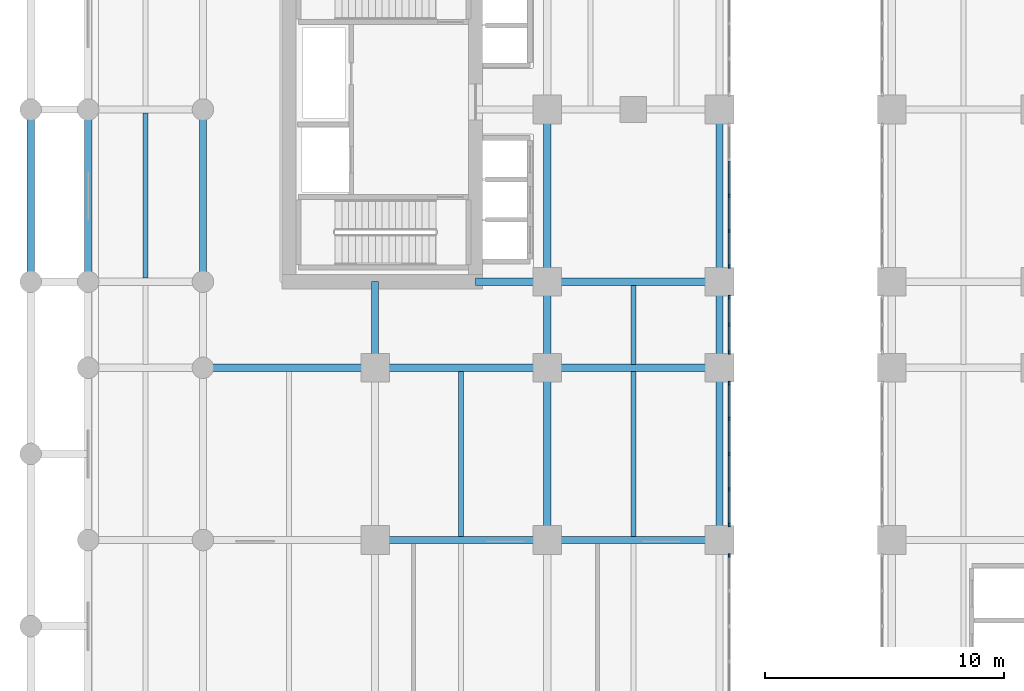
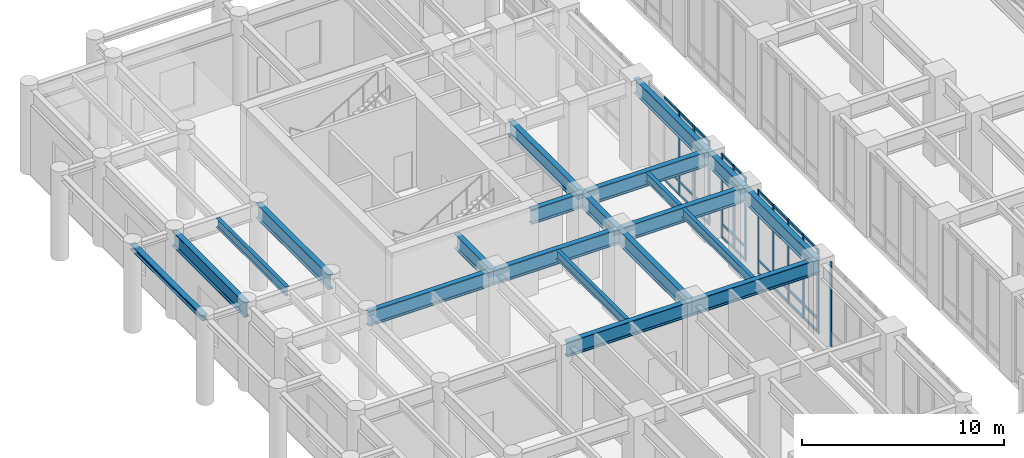
# One storey, part 3 of 24: 39 members, 21 beams, 4 elements without a shape of their own.
"""IFC4 building model written with IfcOpenShell, lengths in metres."""

from ifc_helpers import new_model, si_unit, derived_unit, direction, frame, origin, origin_2d, place, context, subcontext, project, spatial, rectangle, i_section, extrude, source, transform, mapped, material, layer, layer_set, material_profile, profile_set, type_object, type_shapes, element, aggregate, save


model = new_model("IFC4")

# Units and contexts
model_context = context("Model", 3, precision=1e-05, world=origin(), true_north=direction((0.0, 1.0)))
body_context = subcontext(model_context, "Body", "Model", "MODEL_VIEW")
ifc_project = project(units=[si_unit("LENGTHUNIT", "METRE"), si_unit("AREAUNIT", "SQUARE_METRE"), si_unit("VOLUMEUNIT", "CUBIC_METRE"), si_unit("PLANEANGLEUNIT", "RADIAN"), si_unit("MASSUNIT", "GRAM", prefix="KILO"), si_unit("THERMODYNAMICTEMPERATUREUNIT", "KELVIN"), si_unit("POWERUNIT", "WATT"), derived_unit("THERMALTRANSMITTANCEUNIT", [(si_unit("POWERUNIT", "WATT"), 1), (si_unit("AREAUNIT", "SQUARE_METRE"), -1), (si_unit("THERMODYNAMICTEMPERATUREUNIT", "KELVIN"), -1)])], contexts=[model_context])

# Site, building, storey
site_placement = place(None, origin())
site = spatial("IfcSite", under=ifc_project, at=site_placement, CompositionType="ELEMENT")
building_placement = place(site_placement, origin())
building = spatial("IfcBuilding", under=site, at=building_placement, Name="Zahravan Archway Hotel and Residences", CompositionType="ELEMENT")
storey_placement = place(building_placement, frame((0.0, 0.0, 10.800048828125)))
storey = spatial("IfcBuildingStorey", under=building, at=storey_placement, Name="L02", CompositionType="ELEMENT", Elevation=10.800048828125)

# Beams
ifc_material_1 = material(Name="Structural Steel S355J2", Category="steel")
ifc_material_profile_1 = material_profile(ifc_material_1, i_section(OverallWidth=0.300048828125, OverallDepth=0.89990234375, WebThickness=0.0185546875, FlangeThickness=0.034912109375, FilletRadius=0.030029296875, at=origin_2d()), Name="HEB 900", Category="steel")
ifc_profile_set_1 = profile_set([ifc_material_profile_1], Name="Structural Steel S355J2")
beam_type_1 = type_object("IfcBeamType", Name="BM-PRI-HEB900", PredefinedType="BEAM", material=ifc_profile_set_1)
shared_shape_1 = source(origin(), body_context, "Body", "SweptSolid", [
    extrude(i_section(OverallWidth=0.300048828125, OverallDepth=0.89990234375, WebThickness=0.0185546875, FlangeThickness=0.034912109375, FilletRadius=0.030029296875, at=origin_2d()), origin(), (0.0, 0.0, 1.0), 7.199951171875),
])
for number, where, z_axis, x_axis, name in (
    (1, (7.199951171875, 14.39990234375, 4.64990234375), (1.0, 0.0, 0.0), (0.0, 1.0, 0.0), "L02 Primary Girder EW-21"),
    (2, (0.0, 21.60009765625, 4.64990234375), (1.0, 0.0, 0.0), (0.0, 1.0, 0.0), "L02 Primary Girder EW-28"),
    (3, (7.199951171875, 21.60009765625, 4.64990234375), (1.0, 0.0, 0.0), (0.0, 1.0, 0.0), "L02 Primary Girder EW-29"),
    (4, (-4.800048828125, 25.199951171875, 4.64990234375), (0.0, 1.0, 0.0), (-1.0, 0.0, 0.0), "L02 Primary Girder NS-66"),
    (5, (0.0, 25.199951171875, 4.64990234375), (0.0, 1.0, 0.0), (-1.0, 0.0, 0.0), "L02 Primary Girder NS-73"),
    (6, (14.39990234375, 25.199951171875, 4.64990234375), (0.0, 1.0, 0.0), (-1.0, 0.0, 0.0), "L02 Primary Girder NS-85"),
    (7, (21.60009765625, 25.199951171875, 4.64990234375), (0.0, 1.0, 0.0), (-1.0, 0.0, 0.0), "L02 Primary Girder NS-92"),
):
    element("IfcBeam", number, at=place(storey_placement, frame(where, z_axis=z_axis, x_axis=x_axis)), inside=storey, type_object=beam_type_1, Name=name, PredefinedType="BEAM", context=body_context, shape_type="MappedRepresentation", body=[
        mapped(shared_shape_1, transform((0.0, 0.0, 0.0), scale=1.0)),
    ])
shared_shape_2 = source(origin(), body_context, "Body", "SweptSolid", [
    extrude(i_section(OverallWidth=0.300048828125, OverallDepth=0.89990234375, WebThickness=0.0185546875, FlangeThickness=0.034912109375, FilletRadius=0.030029296875, at=origin_2d()), origin(), (0.0, 0.0, 1.0), 7.2001953125),
])
for number, where, z_axis, x_axis, name in (
    (8, (14.39990234375, 14.39990234375, 4.64990234375), (1.0, 0.0, 0.0), (0.0, 1.0, 0.0), "L02 Primary Girder EW-22"),
    (9, (14.39990234375, 21.60009765625, 4.64990234375), (1.0, 0.0, 0.0), (0.0, 1.0, 0.0), "L02 Primary Girder EW-30"),
    (10, (14.39990234375, 25.199951171875, 4.64990234375), (1.0, 0.0, 0.0), (0.0, 1.0, 0.0), "L02 Primary Girder EW-39"),
    (11, (14.39990234375, 14.39990234375, 4.64990234375), (0.0, 1.0, 0.0), (-1.0, 0.0, 0.0), "L02 Primary Girder NS-83"),
    (12, (21.60009765625, 14.39990234375, 4.64990234375), (0.0, 1.0, 0.0), (-1.0, 0.0, 0.0), "L02 Primary Girder NS-90"),
):
    element("IfcBeam", number, at=place(storey_placement, frame(where, z_axis=z_axis, x_axis=x_axis)), inside=storey, type_object=beam_type_1, Name=name, PredefinedType="BEAM", context=body_context, shape_type="MappedRepresentation", body=[
        mapped(shared_shape_2, transform((0.0, 0.0, 0.0), scale=1.0)),
    ])
shared_shape_3 = source(origin(), body_context, "Body", "SweptSolid", [
    extrude(i_section(OverallWidth=0.300048828125, OverallDepth=0.89990234375, WebThickness=0.0185546875, FlangeThickness=0.034912109375, FilletRadius=0.030029296875, at=origin_2d()), origin(), (0.0, 0.0, 1.0), 3.0),
])
beam_1_placement = place(storey_placement, frame((11.39990234375, 25.199951171875, 4.64990234375), z_axis=(1.0, 0.0, 0.0), x_axis=(0.0, 1.0, 0.0)))
element("IfcBeam", 13, at=beam_1_placement, inside=storey, type_object=beam_type_1, Name="L02 Primary Girder EW-38", PredefinedType="BEAM", context=body_context, shape_type="MappedRepresentation", body=[
    mapped(shared_shape_3, transform((0.0, 0.0, 0.0), scale=1.0)),
])
shared_shape_4 = source(origin(), body_context, "Body", "SweptSolid", [
    extrude(i_section(OverallWidth=0.300048828125, OverallDepth=0.89990234375, WebThickness=0.0185546875, FlangeThickness=0.034912109375, FilletRadius=0.030029296875, at=origin_2d()), origin(), (0.0, 0.0, 1.0), 3.599853515625),
])
for number, where, z_axis, x_axis, name in (
    (14, (7.199951171875, 21.60009765625, 4.64990234375), (0.0, 1.0, 0.0), (-1.0, 0.0, 0.0), "L02 Primary Girder NS-79"),
    (15, (14.39990234375, 21.60009765625, 4.64990234375), (0.0, 1.0, 0.0), (-1.0, 0.0, 0.0), "L02 Primary Girder NS-84"),
    (16, (21.60009765625, 21.60009765625, 4.64990234375), (0.0, 1.0, 0.0), (-1.0, 0.0, 0.0), "L02 Primary Girder NS-91"),
):
    element("IfcBeam", number, at=place(storey_placement, frame(where, z_axis=z_axis, x_axis=x_axis)), inside=storey, type_object=beam_type_1, Name=name, PredefinedType="BEAM", context=body_context, shape_type="MappedRepresentation", body=[
        mapped(shared_shape_4, transform((0.0, 0.0, 0.0), scale=1.0)),
    ])
ifc_material_2 = material(Name="Structural Steel S355JR", Category="steel")
ifc_material_profile_2 = material_profile(ifc_material_2, i_section(OverallWidth=0.2099609375, OverallDepth=0.550048828125, WebThickness=0.010986328125, FlangeThickness=0.01708984375, FilletRadius=0.02392578125, at=origin_2d()), Name="IPE 550", Category="steel")
ifc_profile_set_2 = profile_set([ifc_material_profile_2], Name="Structural Steel S355JR")
beam_type_2 = type_object("IfcBeamType", Name="BM-JST-IPE550", PredefinedType="JOIST", material=ifc_profile_set_2)
shared_shape_5 = source(origin(), body_context, "Body", "SweptSolid", [
    extrude(i_section(OverallWidth=0.2099609375, OverallDepth=0.550048828125, WebThickness=0.010986328125, FlangeThickness=0.01708984375, FilletRadius=0.02392578125, at=origin_2d()), origin(), (0.0, 0.0, 1.0), 6.904052734375),
])
type_shapes(beam_type_2, [shared_shape_5])
beam_2_placement = place(storey_placement, frame((-2.39990234375, 25.347900390625, 4.824951171875), z_axis=(0.0, 1.0, 0.0), x_axis=(-1.0, 0.0, 0.0)))
element("IfcBeam", 17, at=beam_2_placement, inside=storey, type_object=beam_type_2, Name="L02 Composite Floor Joist 28", PredefinedType="JOIST", context=body_context, shape_type="MappedRepresentation", body=[
    mapped(shared_shape_5, transform((0.0, 0.0, 0.0), scale=1.0)),
])
shared_shape_6 = source(origin(), body_context, "Body", "SweptSolid", [
    extrude(i_section(OverallWidth=0.2099609375, OverallDepth=0.550048828125, WebThickness=0.010986328125, FlangeThickness=0.01708984375, FilletRadius=0.02392578125, at=origin_2d()), origin(), (0.0, 0.0, 1.0), 6.90380859375),
])
for number, where, z_axis, x_axis, name in (
    (18, (10.800048828125, 14.548095703125, 4.824951171875), (0.0, 1.0, 0.0), (-1.0, 0.0, 0.0), "L02 Composite Floor Joist 19"),
    (19, (18.0, 14.548095703125, 4.824951171875), (0.0, 1.0, 0.0), (-1.0, 0.0, 0.0), "L02 Composite Floor Joist 20"),
):
    element("IfcBeam", number, at=place(storey_placement, frame(where, z_axis=z_axis, x_axis=x_axis)), inside=storey, type_object=beam_type_2, Name=name, PredefinedType="JOIST", context=body_context, shape_type="MappedRepresentation", body=[
        mapped(shared_shape_6, transform((0.0, 0.0, 0.0), scale=1.0)),
    ])
shared_shape_7 = source(origin(), body_context, "Body", "SweptSolid", [
    extrude(i_section(OverallWidth=0.2099609375, OverallDepth=0.550048828125, WebThickness=0.010986328125, FlangeThickness=0.01708984375, FilletRadius=0.02392578125, at=origin_2d()), origin(), (0.0, 0.0, 1.0), 3.303955078125),
])
beam_3_placement = place(storey_placement, frame((18.0, 21.748046875, 4.824951171875), z_axis=(0.0, 1.0, 0.0), x_axis=(-1.0, 0.0, 0.0)))
element("IfcBeam", 20, at=beam_3_placement, inside=storey, type_object=beam_type_2, Name="L02 Composite Floor Joist 26", PredefinedType="JOIST", context=body_context, shape_type="MappedRepresentation", body=[
    mapped(shared_shape_7, transform((0.0, 0.0, 0.0), scale=1.0)),
])
ifc_material_profile_3 = material_profile(ifc_material_2, i_section(OverallWidth=0.300048828125, OverallDepth=0.320068359375, WebThickness=0.011474609375, FlangeThickness=0.0205078125, FilletRadius=0.027099609375, at=origin_2d()), Name="HEB 320", Category="steel")
ifc_profile_set_3 = profile_set([ifc_material_profile_3], Name="Structural Steel S355JR")
beam_type_3 = type_object("IfcBeamType", Name="BM-SPN-HEB320", PredefinedType="SPANDREL", material=ifc_profile_set_3)
shared_shape_8 = source(origin(), body_context, "Body", "SweptSolid", [
    extrude(i_section(OverallWidth=0.300048828125, OverallDepth=0.320068359375, WebThickness=0.011474609375, FlangeThickness=0.0205078125, FilletRadius=0.027099609375, at=origin_2d()), origin(), (0.0, 0.0, 1.0), 7.199951171875),
])
type_shapes(beam_type_3, [shared_shape_8])
beam_4_placement = place(storey_placement, frame((-7.199951171875, 25.199951171875, 5.0), z_axis=(0.0, 1.0, 0.0), x_axis=(-1.0, 0.0, 0.0)))
element("IfcBeam", 21, at=beam_4_placement, inside=storey, type_object=beam_type_3, Name="L02 West Colonnade Spandrel 4", PredefinedType="SPANDREL", context=body_context, shape_type="MappedRepresentation", body=[
    mapped(shared_shape_8, transform((0.0, 0.0, 0.0), scale=1.0)),
])

# Curtain wall, members
ifc_material_3 = material(Name="Bronze-Anodized Unitised Aluminium & Low-E Glass", Category="aluminium")
ifc_layer = layer(ifc_material_3, 0.179931640625, Name="Bronze-Anodized Unitised Aluminium & Low-E Glass", Category="aluminium")
ifc_layer_set = layer_set([ifc_layer], Name="Bronze-Anodized Unitised Aluminium & Low-E Glass")
curtain_wall_type = type_object("IfcCurtainWallType", Name="CW-POD-ARCH", PredefinedType="NOTDEFINED", material=ifc_layer_set)
curtain_wall_1_placement = place(storey_placement, origin())
curtain_wall_1 = element("IfcCurtainWall", 22, at=curtain_wall_1_placement, inside=storey, type_object=curtain_wall_type, Name="L02 Curtain Wall CW-PORTW-L02-5", PredefinedType="NOTDEFINED")
ifc_material_4 = material(Name="Bronze-Anodized Extruded Aluminium", Category="aluminium")
ifc_material_profile_4 = material_profile(ifc_material_4, rectangle(XDim=0.080078125, YDim=0.139892578125, at=origin_2d()), Name="TRN 80x140", Category="aluminium")
ifc_profile_set_4 = profile_set([ifc_material_profile_4], Name="Bronze-Anodized Extruded Aluminium")
member_type_1 = type_object("IfcMemberType", Name="CWM-TRN-140", PredefinedType="USERDEFINED", material=ifc_profile_set_4)
shared_shape_9 = source(origin(), body_context, "Body", "SweptSolid", [
    extrude(rectangle(XDim=0.080078125, YDim=0.139892578125, at=origin_2d()), origin(), (0.0, 0.0, 1.0), 1.397216796875),
])
member_1_placement = place(storey_placement, frame((22.0, 28.840087890625, 0.070068359375), z_axis=(0.0, 1.0, 0.0), x_axis=(-1.0, 0.0, 0.0)))
member_1 = element("IfcMember", 23, at=member_1_placement, type_object=member_type_1, Name="CW-PORTW-L02-5 Transom 2-1", ObjectType="TRANSOM", PredefinedType="USERDEFINED", context=body_context, shape_type="MappedRepresentation", body=[
    mapped(shared_shape_9, transform((0.0, 0.0, 0.0), scale=1.0)),
])
member_2_placement = place(storey_placement, frame((22.0, 28.840087890625, 0.849853515625), z_axis=(0.0, 1.0, 0.0), x_axis=(-1.0, 0.0, 0.0)))
member_2 = element("IfcMember", 24, at=member_2_placement, type_object=member_type_1, Name="CW-PORTW-L02-5 Transom 2-2", ObjectType="TRANSOM", PredefinedType="USERDEFINED", context=body_context, shape_type="MappedRepresentation", body=[
    mapped(shared_shape_9, transform((0.0, 0.0, 0.0), scale=1.0)),
])
member_3_placement = place(storey_placement, frame((22.0, 28.840087890625, 5.030029296875), z_axis=(0.0, 1.0, 0.0), x_axis=(-1.0, 0.0, 0.0)))
member_3 = element("IfcMember", 25, at=member_3_placement, type_object=member_type_1, Name="CW-PORTW-L02-5 Transom 2-3", ObjectType="TRANSOM", PredefinedType="USERDEFINED", context=body_context, shape_type="MappedRepresentation", body=[
    mapped(shared_shape_9, transform((0.0, 0.0, 0.0), scale=1.0)),
])

curtain_wall_2_placement = place(storey_placement, origin())
curtain_wall_2 = element("IfcCurtainWall", 26, at=curtain_wall_2_placement, inside=storey, type_object=curtain_wall_type, Name="L02 Curtain Wall CW-PORTW-L02-3", PredefinedType="NOTDEFINED")
shared_shape_10 = source(origin(), body_context, "Body", "SweptSolid", [
    extrude(rectangle(XDim=0.080078125, YDim=0.139892578125, at=origin_2d()), origin(), (0.0, 0.0, 1.0), 1.3974609375),
])
member_4_placement = place(storey_placement, frame((22.0, 15.085205078125, 0.070068359375), z_axis=(0.0, 1.0, 0.0), x_axis=(-1.0, 0.0, 0.0)))
member_4 = element("IfcMember", 27, at=member_4_placement, type_object=member_type_1, Name="CW-PORTW-L02-3 Transom 0-1", ObjectType="TRANSOM", PredefinedType="USERDEFINED", context=body_context, shape_type="MappedRepresentation", body=[
    mapped(shared_shape_10, transform((0.0, 0.0, 0.0), scale=1.0)),
])
member_5_placement = place(storey_placement, frame((22.0, 15.085205078125, 0.849853515625), z_axis=(0.0, 1.0, 0.0), x_axis=(-1.0, 0.0, 0.0)))
member_5 = element("IfcMember", 28, at=member_5_placement, type_object=member_type_1, Name="CW-PORTW-L02-3 Transom 0-2", ObjectType="TRANSOM", PredefinedType="USERDEFINED", context=body_context, shape_type="MappedRepresentation", body=[
    mapped(shared_shape_10, transform((0.0, 0.0, 0.0), scale=1.0)),
])
member_6_placement = place(storey_placement, frame((22.0, 15.085205078125, 5.030029296875), z_axis=(0.0, 1.0, 0.0), x_axis=(-1.0, 0.0, 0.0)))
member_6 = element("IfcMember", 29, at=member_6_placement, type_object=member_type_1, Name="CW-PORTW-L02-3 Transom 0-3", ObjectType="TRANSOM", PredefinedType="USERDEFINED", context=body_context, shape_type="MappedRepresentation", body=[
    mapped(shared_shape_10, transform((0.0, 0.0, 0.0), scale=1.0)),
])
member_7_placement = place(storey_placement, frame((22.0, 16.5625, 0.070068359375), z_axis=(0.0, 1.0, 0.0), x_axis=(-1.0, 0.0, 0.0)))
member_7 = element("IfcMember", 30, at=member_7_placement, type_object=member_type_1, Name="CW-PORTW-L02-3 Transom 1-1", ObjectType="TRANSOM", PredefinedType="USERDEFINED", context=body_context, shape_type="MappedRepresentation", body=[
    mapped(shared_shape_10, transform((0.0, 0.0, 0.0), scale=1.0)),
])
member_8_placement = place(storey_placement, frame((22.0, 16.5625, 0.849853515625), z_axis=(0.0, 1.0, 0.0), x_axis=(-1.0, 0.0, 0.0)))
member_8 = element("IfcMember", 31, at=member_8_placement, type_object=member_type_1, Name="CW-PORTW-L02-3 Transom 1-2", ObjectType="TRANSOM", PredefinedType="USERDEFINED", context=body_context, shape_type="MappedRepresentation", body=[
    mapped(shared_shape_10, transform((0.0, 0.0, 0.0), scale=1.0)),
])
member_9_placement = place(storey_placement, frame((22.0, 16.5625, 5.030029296875), z_axis=(0.0, 1.0, 0.0), x_axis=(-1.0, 0.0, 0.0)))
member_9 = element("IfcMember", 32, at=member_9_placement, type_object=member_type_1, Name="CW-PORTW-L02-3 Transom 1-3", ObjectType="TRANSOM", PredefinedType="USERDEFINED", context=body_context, shape_type="MappedRepresentation", body=[
    mapped(shared_shape_10, transform((0.0, 0.0, 0.0), scale=1.0)),
])
member_10_placement = place(storey_placement, frame((22.0, 18.0400390625, 0.070068359375), z_axis=(0.0, 1.0, 0.0), x_axis=(-1.0, 0.0, 0.0)))
member_10 = element("IfcMember", 33, at=member_10_placement, type_object=member_type_1, Name="CW-PORTW-L02-3 Transom 2-1", ObjectType="TRANSOM", PredefinedType="USERDEFINED", context=body_context, shape_type="MappedRepresentation", body=[
    mapped(shared_shape_10, transform((0.0, 0.0, 0.0), scale=1.0)),
])
member_11_placement = place(storey_placement, frame((22.0, 18.0400390625, 0.849853515625), z_axis=(0.0, 1.0, 0.0), x_axis=(-1.0, 0.0, 0.0)))
member_11 = element("IfcMember", 34, at=member_11_placement, type_object=member_type_1, Name="CW-PORTW-L02-3 Transom 2-2", ObjectType="TRANSOM", PredefinedType="USERDEFINED", context=body_context, shape_type="MappedRepresentation", body=[
    mapped(shared_shape_10, transform((0.0, 0.0, 0.0), scale=1.0)),
])
member_12_placement = place(storey_placement, frame((22.0, 18.0400390625, 5.030029296875), z_axis=(0.0, 1.0, 0.0), x_axis=(-1.0, 0.0, 0.0)))
member_12 = element("IfcMember", 35, at=member_12_placement, type_object=member_type_1, Name="CW-PORTW-L02-3 Transom 2-3", ObjectType="TRANSOM", PredefinedType="USERDEFINED", context=body_context, shape_type="MappedRepresentation", body=[
    mapped(shared_shape_10, transform((0.0, 0.0, 0.0), scale=1.0)),
])
member_13_placement = place(storey_placement, frame((22.0, 19.517333984375, 0.070068359375), z_axis=(0.0, 1.0, 0.0), x_axis=(-1.0, 0.0, 0.0)))
member_13 = element("IfcMember", 36, at=member_13_placement, type_object=member_type_1, Name="CW-PORTW-L02-3 Transom 3-1", ObjectType="TRANSOM", PredefinedType="USERDEFINED", context=body_context, shape_type="MappedRepresentation", body=[
    mapped(shared_shape_10, transform((0.0, 0.0, 0.0), scale=1.0)),
])
member_14_placement = place(storey_placement, frame((22.0, 19.517333984375, 0.849853515625), z_axis=(0.0, 1.0, 0.0), x_axis=(-1.0, 0.0, 0.0)))
member_14 = element("IfcMember", 37, at=member_14_placement, type_object=member_type_1, Name="CW-PORTW-L02-3 Transom 3-2", ObjectType="TRANSOM", PredefinedType="USERDEFINED", context=body_context, shape_type="MappedRepresentation", body=[
    mapped(shared_shape_10, transform((0.0, 0.0, 0.0), scale=1.0)),
])
member_15_placement = place(storey_placement, frame((22.0, 19.517333984375, 5.030029296875), z_axis=(0.0, 1.0, 0.0), x_axis=(-1.0, 0.0, 0.0)))
member_15 = element("IfcMember", 38, at=member_15_placement, type_object=member_type_1, Name="CW-PORTW-L02-3 Transom 3-3", ObjectType="TRANSOM", PredefinedType="USERDEFINED", context=body_context, shape_type="MappedRepresentation", body=[
    mapped(shared_shape_10, transform((0.0, 0.0, 0.0), scale=1.0)),
])

# Member
member_16_placement = place(storey_placement, frame((22.0, 25.88525390625, 0.070068359375), z_axis=(0.0, 1.0, 0.0), x_axis=(-1.0, 0.0, 0.0)))
member_16 = element("IfcMember", 39, at=member_16_placement, type_object=member_type_1, Name="CW-PORTW-L02-5 Transom 0-1", ObjectType="TRANSOM", PredefinedType="USERDEFINED", context=body_context, shape_type="MappedRepresentation", body=[
    mapped(shared_shape_10, transform((0.0, 0.0, 0.0), scale=1.0)),
])

member_17_placement = place(storey_placement, frame((22.0, 25.88525390625, 0.849853515625), z_axis=(0.0, 1.0, 0.0), x_axis=(-1.0, 0.0, 0.0)))
member_17 = element("IfcMember", 40, at=member_17_placement, type_object=member_type_1, Name="CW-PORTW-L02-5 Transom 0-2", ObjectType="TRANSOM", PredefinedType="USERDEFINED", context=body_context, shape_type="MappedRepresentation", body=[
    mapped(shared_shape_10, transform((0.0, 0.0, 0.0), scale=1.0)),
])

member_18_placement = place(storey_placement, frame((22.0, 25.88525390625, 5.030029296875), z_axis=(0.0, 1.0, 0.0), x_axis=(-1.0, 0.0, 0.0)))
member_18 = element("IfcMember", 41, at=member_18_placement, type_object=member_type_1, Name="CW-PORTW-L02-5 Transom 0-3", ObjectType="TRANSOM", PredefinedType="USERDEFINED", context=body_context, shape_type="MappedRepresentation", body=[
    mapped(shared_shape_10, transform((0.0, 0.0, 0.0), scale=1.0)),
])

member_19_placement = place(storey_placement, frame((22.0, 27.362548828125, 0.070068359375), z_axis=(0.0, 1.0, 0.0), x_axis=(-1.0, 0.0, 0.0)))
member_19 = element("IfcMember", 42, at=member_19_placement, type_object=member_type_1, Name="CW-PORTW-L02-5 Transom 1-1", ObjectType="TRANSOM", PredefinedType="USERDEFINED", context=body_context, shape_type="MappedRepresentation", body=[
    mapped(shared_shape_10, transform((0.0, 0.0, 0.0), scale=1.0)),
])

member_20_placement = place(storey_placement, frame((22.0, 27.362548828125, 0.849853515625), z_axis=(0.0, 1.0, 0.0), x_axis=(-1.0, 0.0, 0.0)))
member_20 = element("IfcMember", 43, at=member_20_placement, type_object=member_type_1, Name="CW-PORTW-L02-5 Transom 1-2", ObjectType="TRANSOM", PredefinedType="USERDEFINED", context=body_context, shape_type="MappedRepresentation", body=[
    mapped(shared_shape_10, transform((0.0, 0.0, 0.0), scale=1.0)),
])

member_21_placement = place(storey_placement, frame((22.0, 27.362548828125, 5.030029296875), z_axis=(0.0, 1.0, 0.0), x_axis=(-1.0, 0.0, 0.0)))
member_21 = element("IfcMember", 44, at=member_21_placement, type_object=member_type_1, Name="CW-PORTW-L02-5 Transom 1-3", ObjectType="TRANSOM", PredefinedType="USERDEFINED", context=body_context, shape_type="MappedRepresentation", body=[
    mapped(shared_shape_10, transform((0.0, 0.0, 0.0), scale=1.0)),
])

# Curtain wall, members
curtain_wall_3_placement = place(storey_placement, origin())
curtain_wall_3 = element("IfcCurtainWall", 45, at=curtain_wall_3_placement, inside=storey, type_object=curtain_wall_type, Name="L02 Curtain Wall CW-PORTW-L02-4", PredefinedType="NOTDEFINED")
shared_shape_11 = source(origin(), body_context, "Body", "SweptSolid", [
    extrude(rectangle(XDim=0.080078125, YDim=0.139892578125, at=origin_2d()), origin(), (0.0, 0.0, 1.0), 1.074951171875),
])
member_22_placement = place(storey_placement, frame((22.0, 22.28515625, 0.070068359375), z_axis=(0.0, 1.0, 0.0), x_axis=(-1.0, 0.0, 0.0)))
member_22 = element("IfcMember", 46, at=member_22_placement, type_object=member_type_1, Name="CW-PORTW-L02-4 Transom 0-1", ObjectType="TRANSOM", PredefinedType="USERDEFINED", context=body_context, shape_type="MappedRepresentation", body=[
    mapped(shared_shape_11, transform((0.0, 0.0, 0.0), scale=1.0)),
])
member_23_placement = place(storey_placement, frame((22.0, 22.28515625, 0.849853515625), z_axis=(0.0, 1.0, 0.0), x_axis=(-1.0, 0.0, 0.0)))
member_23 = element("IfcMember", 47, at=member_23_placement, type_object=member_type_1, Name="CW-PORTW-L02-4 Transom 0-2", ObjectType="TRANSOM", PredefinedType="USERDEFINED", context=body_context, shape_type="MappedRepresentation", body=[
    mapped(shared_shape_11, transform((0.0, 0.0, 0.0), scale=1.0)),
])
member_24_placement = place(storey_placement, frame((22.0, 22.28515625, 5.030029296875), z_axis=(0.0, 1.0, 0.0), x_axis=(-1.0, 0.0, 0.0)))
member_24 = element("IfcMember", 48, at=member_24_placement, type_object=member_type_1, Name="CW-PORTW-L02-4 Transom 0-3", ObjectType="TRANSOM", PredefinedType="USERDEFINED", context=body_context, shape_type="MappedRepresentation", body=[
    mapped(shared_shape_11, transform((0.0, 0.0, 0.0), scale=1.0)),
])
member_25_placement = place(storey_placement, frame((22.0, 23.43994140625, 0.070068359375), z_axis=(0.0, 1.0, 0.0), x_axis=(-1.0, 0.0, 0.0)))
member_25 = element("IfcMember", 49, at=member_25_placement, type_object=member_type_1, Name="CW-PORTW-L02-4 Transom 1-1", ObjectType="TRANSOM", PredefinedType="USERDEFINED", context=body_context, shape_type="MappedRepresentation", body=[
    mapped(shared_shape_11, transform((0.0, 0.0, 0.0), scale=1.0)),
])
member_26_placement = place(storey_placement, frame((22.0, 23.43994140625, 0.849853515625), z_axis=(0.0, 1.0, 0.0), x_axis=(-1.0, 0.0, 0.0)))
member_26 = element("IfcMember", 50, at=member_26_placement, type_object=member_type_1, Name="CW-PORTW-L02-4 Transom 1-2", ObjectType="TRANSOM", PredefinedType="USERDEFINED", context=body_context, shape_type="MappedRepresentation", body=[
    mapped(shared_shape_11, transform((0.0, 0.0, 0.0), scale=1.0)),
])
member_27_placement = place(storey_placement, frame((22.0, 23.43994140625, 5.030029296875), z_axis=(0.0, 1.0, 0.0), x_axis=(-1.0, 0.0, 0.0)))
member_27 = element("IfcMember", 51, at=member_27_placement, type_object=member_type_1, Name="CW-PORTW-L02-4 Transom 1-3", ObjectType="TRANSOM", PredefinedType="USERDEFINED", context=body_context, shape_type="MappedRepresentation", body=[
    mapped(shared_shape_11, transform((0.0, 0.0, 0.0), scale=1.0)),
])

# Curtain wall, member
curtain_wall_4_placement = place(storey_placement, origin())
curtain_wall_4 = element("IfcCurtainWall", 52, at=curtain_wall_4_placement, inside=storey, type_object=curtain_wall_type, Name="L02 Curtain Wall CW-PORTW-L02-2", PredefinedType="NOTDEFINED")
ifc_material_profile_5 = material_profile(ifc_material_4, rectangle(XDim=0.080078125, YDim=0.159912109375, at=origin_2d()), Name="MUL 80x160", Category="aluminium")
ifc_profile_set_5 = profile_set([ifc_material_profile_5], Name="Bronze-Anodized Extruded Aluminium")
member_type_2 = type_object("IfcMemberType", Name="CWM-MUL-160", PredefinedType="MULLION", material=ifc_profile_set_5)
shared_shape_12 = source(origin(), body_context, "Body", "SweptSolid", [
    extrude(rectangle(XDim=0.080078125, YDim=0.159912109375, at=origin_2d()), origin(), (0.0, 0.0, 1.0), 5.099853515625),
])
member_28_placement = place(storey_placement, frame((22.0, 13.7548828125, 0.0), z_axis=(0.0, 0.0, 1.0), x_axis=(1.0, 0.0, 0.0)))
member_28 = element("IfcMember", 53, at=member_28_placement, type_object=member_type_2, Name="CW-PORTW-L02-2 Mullion 4", PredefinedType="MULLION", context=body_context, shape_type="MappedRepresentation", body=[
    mapped(shared_shape_12, transform((0.0, 0.0, 0.0), scale=1.0)),
])
aggregate(curtain_wall_4, [member_28])

# Member
member_29_placement = place(storey_placement, frame((22.0, 15.045166015625, 0.0), z_axis=(0.0, 0.0, 1.0), x_axis=(1.0, 0.0, 0.0)))
member_29 = element("IfcMember", 54, at=member_29_placement, type_object=member_type_2, Name="CW-PORTW-L02-3 Mullion 0", PredefinedType="MULLION", context=body_context, shape_type="MappedRepresentation", body=[
    mapped(shared_shape_12, transform((0.0, 0.0, 0.0), scale=1.0)),
])

member_30_placement = place(storey_placement, frame((22.0, 16.522705078125, 0.0), z_axis=(0.0, 0.0, 1.0), x_axis=(1.0, 0.0, 0.0)))
member_30 = element("IfcMember", 55, at=member_30_placement, type_object=member_type_2, Name="CW-PORTW-L02-3 Mullion 1", PredefinedType="MULLION", context=body_context, shape_type="MappedRepresentation", body=[
    mapped(shared_shape_12, transform((0.0, 0.0, 0.0), scale=1.0)),
])

member_31_placement = place(storey_placement, frame((22.0, 18.0, 0.0), z_axis=(0.0, 0.0, 1.0), x_axis=(1.0, 0.0, 0.0)))
member_31 = element("IfcMember", 56, at=member_31_placement, type_object=member_type_2, Name="CW-PORTW-L02-3 Mullion 2", PredefinedType="MULLION", context=body_context, shape_type="MappedRepresentation", body=[
    mapped(shared_shape_12, transform((0.0, 0.0, 0.0), scale=1.0)),
])

member_32_placement = place(storey_placement, frame((22.0, 19.477294921875, 0.0), z_axis=(0.0, 0.0, 1.0), x_axis=(1.0, 0.0, 0.0)))
member_32 = element("IfcMember", 57, at=member_32_placement, type_object=member_type_2, Name="CW-PORTW-L02-3 Mullion 3", PredefinedType="MULLION", context=body_context, shape_type="MappedRepresentation", body=[
    mapped(shared_shape_12, transform((0.0, 0.0, 0.0), scale=1.0)),
])

member_33_placement = place(storey_placement, frame((22.0, 20.954833984375, 0.0), z_axis=(0.0, 0.0, 1.0), x_axis=(1.0, 0.0, 0.0)))
member_33 = element("IfcMember", 58, at=member_33_placement, type_object=member_type_2, Name="CW-PORTW-L02-3 Mullion 4", PredefinedType="MULLION", context=body_context, shape_type="MappedRepresentation", body=[
    mapped(shared_shape_12, transform((0.0, 0.0, 0.0), scale=1.0)),
])

aggregate(curtain_wall_2, [member_29, member_30, member_31, member_32, member_33, member_4, member_5, member_6, member_7, member_8, member_9, member_10, member_11, member_12, member_13, member_14, member_15])

member_34_placement = place(storey_placement, frame((22.0, 22.2451171875, 0.0), z_axis=(0.0, 0.0, 1.0), x_axis=(1.0, 0.0, 0.0)))
member_34 = element("IfcMember", 59, at=member_34_placement, type_object=member_type_2, Name="CW-PORTW-L02-4 Mullion 0", PredefinedType="MULLION", context=body_context, shape_type="MappedRepresentation", body=[
    mapped(shared_shape_12, transform((0.0, 0.0, 0.0), scale=1.0)),
])

member_35_placement = place(storey_placement, frame((22.0, 23.39990234375, 0.0), z_axis=(0.0, 0.0, 1.0), x_axis=(1.0, 0.0, 0.0)))
member_35 = element("IfcMember", 60, at=member_35_placement, type_object=member_type_2, Name="CW-PORTW-L02-4 Mullion 1", PredefinedType="MULLION", context=body_context, shape_type="MappedRepresentation", body=[
    mapped(shared_shape_12, transform((0.0, 0.0, 0.0), scale=1.0)),
])

member_36_placement = place(storey_placement, frame((22.0, 24.5546875, 0.0), z_axis=(0.0, 0.0, 1.0), x_axis=(1.0, 0.0, 0.0)))
member_36 = element("IfcMember", 61, at=member_36_placement, type_object=member_type_2, Name="CW-PORTW-L02-4 Mullion 2", PredefinedType="MULLION", context=body_context, shape_type="MappedRepresentation", body=[
    mapped(shared_shape_12, transform((0.0, 0.0, 0.0), scale=1.0)),
])

aggregate(curtain_wall_3, [member_34, member_35, member_36, member_22, member_23, member_24, member_25, member_26, member_27])

member_37_placement = place(storey_placement, frame((22.0, 25.84521484375, 0.0), z_axis=(0.0, 0.0, 1.0), x_axis=(1.0, 0.0, 0.0)))
member_37 = element("IfcMember", 62, at=member_37_placement, type_object=member_type_2, Name="CW-PORTW-L02-5 Mullion 0", PredefinedType="MULLION", context=body_context, shape_type="MappedRepresentation", body=[
    mapped(shared_shape_12, transform((0.0, 0.0, 0.0), scale=1.0)),
])

member_38_placement = place(storey_placement, frame((22.0, 27.322509765625, 0.0), z_axis=(0.0, 0.0, 1.0), x_axis=(1.0, 0.0, 0.0)))
member_38 = element("IfcMember", 63, at=member_38_placement, type_object=member_type_2, Name="CW-PORTW-L02-5 Mullion 1", PredefinedType="MULLION", context=body_context, shape_type="MappedRepresentation", body=[
    mapped(shared_shape_12, transform((0.0, 0.0, 0.0), scale=1.0)),
])

member_39_placement = place(storey_placement, frame((22.0, 28.800048828125, 0.0), z_axis=(0.0, 0.0, 1.0), x_axis=(1.0, 0.0, 0.0)))
member_39 = element("IfcMember", 64, at=member_39_placement, type_object=member_type_2, Name="CW-PORTW-L02-5 Mullion 2", PredefinedType="MULLION", context=body_context, shape_type="MappedRepresentation", body=[
    mapped(shared_shape_12, transform((0.0, 0.0, 0.0), scale=1.0)),
])

aggregate(curtain_wall_1, [member_37, member_38, member_39, member_16, member_17, member_18, member_19, member_20, member_21, member_1, member_2, member_3])

save(model, "model.ifc")
